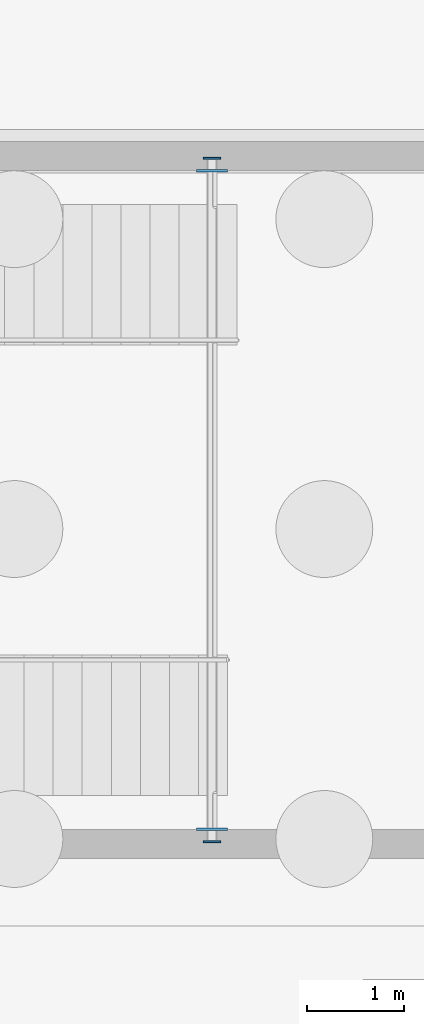
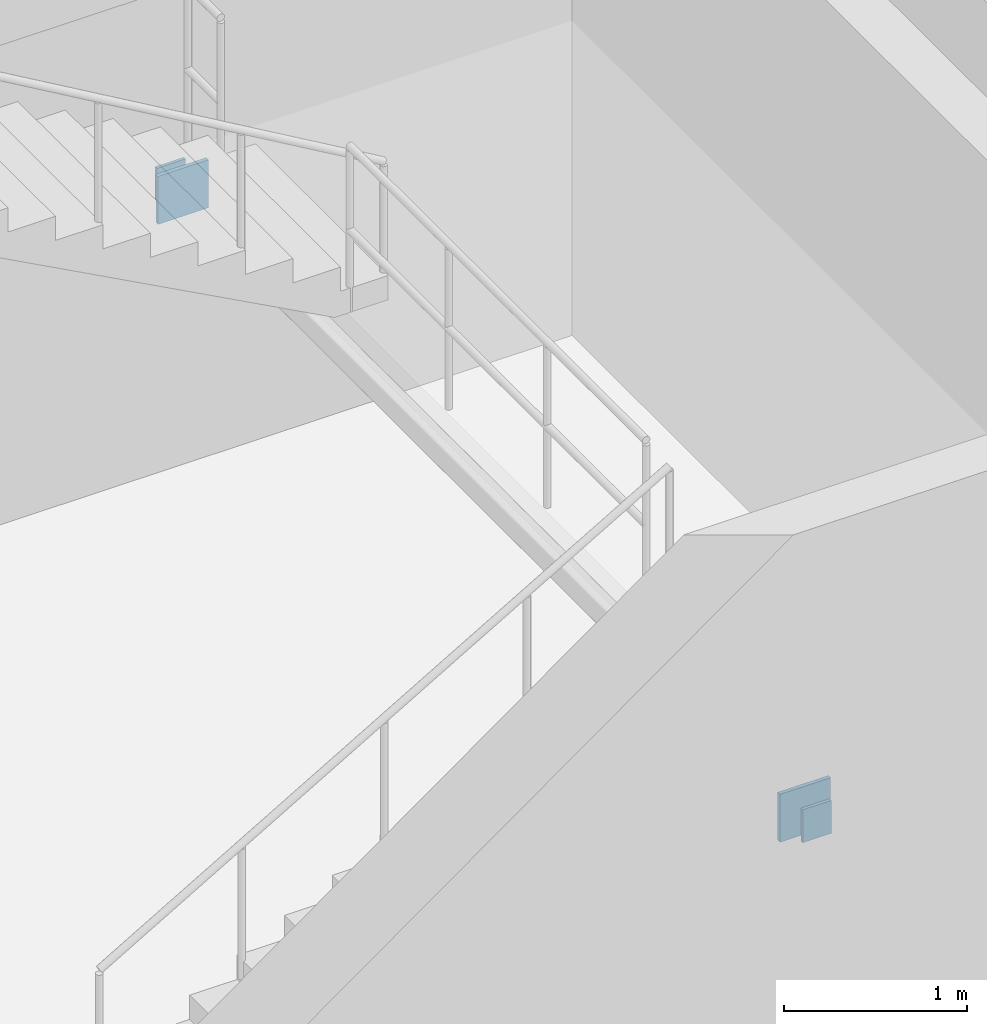
# One storey, part 16 of 36: 4 plates.
"""IFC4 building model written with IfcOpenShell, lengths in metres."""

from ifc_helpers import new_model, si_unit, direction, frame, origin, origin_2d, place, context, subcontext, project, spatial, rectangle, extrude, material, layer, layer_set, type_object, element, save


model = new_model("IFC4")

# Units and contexts
model_context = context("Model", 3, precision=1e-05, world=origin(), true_north=direction((0.0, 1.0)))
body_context = subcontext(model_context, "Body", "Model", "MODEL_VIEW")
ifc_project = project(units=[si_unit("LENGTHUNIT", "METRE"), si_unit("AREAUNIT", "SQUARE_METRE"), si_unit("VOLUMEUNIT", "CUBIC_METRE"), si_unit("PLANEANGLEUNIT", "RADIAN"), si_unit("MASSUNIT", "GRAM", prefix="KILO"), si_unit("THERMODYNAMICTEMPERATUREUNIT", "KELVIN"), si_unit("POWERUNIT", "WATT")], contexts=[model_context])

# Site, building, storey
site_placement = place(None, origin())
site = spatial("IfcSite", under=ifc_project, at=site_placement, CompositionType="ELEMENT")
building_placement = place(site_placement, origin())
building = spatial("IfcBuilding", under=site, at=building_placement, Name="Solvatero Civic Police Headquarters", CompositionType="ELEMENT")
storey_placement = place(building_placement, frame((0.0, 0.0, -8.39990234375)))
storey = spatial("IfcBuildingStorey", under=building, at=storey_placement, Name="B02", CompositionType="ELEMENT", Elevation=-8.39990234375)

# Plates
ifc_material = material(Name="Steel S355", Category="steel")
ifc_layer_1 = layer(ifc_material, 0.02001953125)
ifc_layer_set_1 = layer_set([ifc_layer_1], Name="Steel S355")
plate_type_1 = type_object("IfcPlateType", Name="PLT-CAP-20", PredefinedType="SHEET", material=ifc_layer_set_1)
for number, where, z_axis, x_axis, name in (
    (1, (118.739990234375, 8.070068359375, 1.71484375), (0.0, 0.0, 1.0), (1.0, 0.0, 0.0), "Hollow Section Cap Plate 0065"),
    (2, (118.739990234375, 15.1298828125, 1.71484375), (0.0, 0.0, 1.0), (1.0, 0.0, 0.0), "Hollow Section Cap Plate 0066"),
):
    element("IfcPlate", number, at=place(storey_placement, frame(where, z_axis=z_axis, x_axis=x_axis)), inside=storey, type_object=plate_type_1, Name=name, PredefinedType="SHEET", context=body_context, shape_type="SweptSolid", body=[
        extrude(rectangle(XDim=0.179931640625, YDim=0.02001953125, at=origin_2d()), origin(), (0.0, 0.0, 1.0), 0.219970703125),
    ])
ifc_layer_2 = layer(ifc_material, 0.02490234375)
ifc_layer_set_2 = layer_set([ifc_layer_2], Name="Steel S355")
plate_type_2 = type_object("IfcPlateType", Name="PLT-EMB-25", PredefinedType="SHEET", material=ifc_layer_set_2)
for number, where, z_axis, x_axis, name in (
    (3, (118.739990234375, 8.199951171875, 1.6650390625), (0.0, 0.0, 1.0), (1.0, 0.0, 0.0), "Cast-In Shear Wall Embed Plate 0065"),
    (4, (118.739990234375, 15.0, 1.6650390625), (0.0, 0.0, 1.0), (1.0, 0.0, 0.0), "Cast-In Shear Wall Embed Plate 0066"),
):
    element("IfcPlate", number, at=place(storey_placement, frame(where, z_axis=z_axis, x_axis=x_axis)), inside=storey, type_object=plate_type_2, Name=name, PredefinedType="SHEET", context=body_context, shape_type="SweptSolid", body=[
        extrude(rectangle(XDim=0.320068359375, YDim=0.02490234375, at=origin_2d()), origin(), (0.0, 0.0, 1.0), 0.320068359375),
    ])

save(model, "model.ifc")
